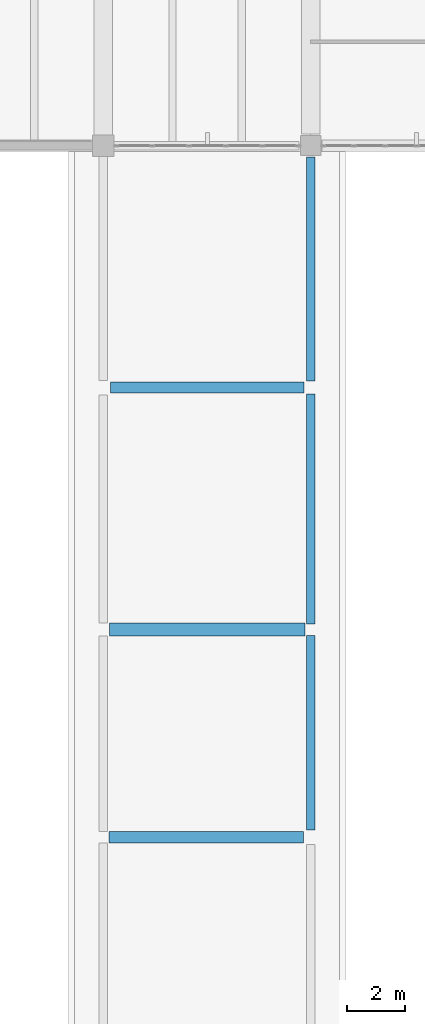
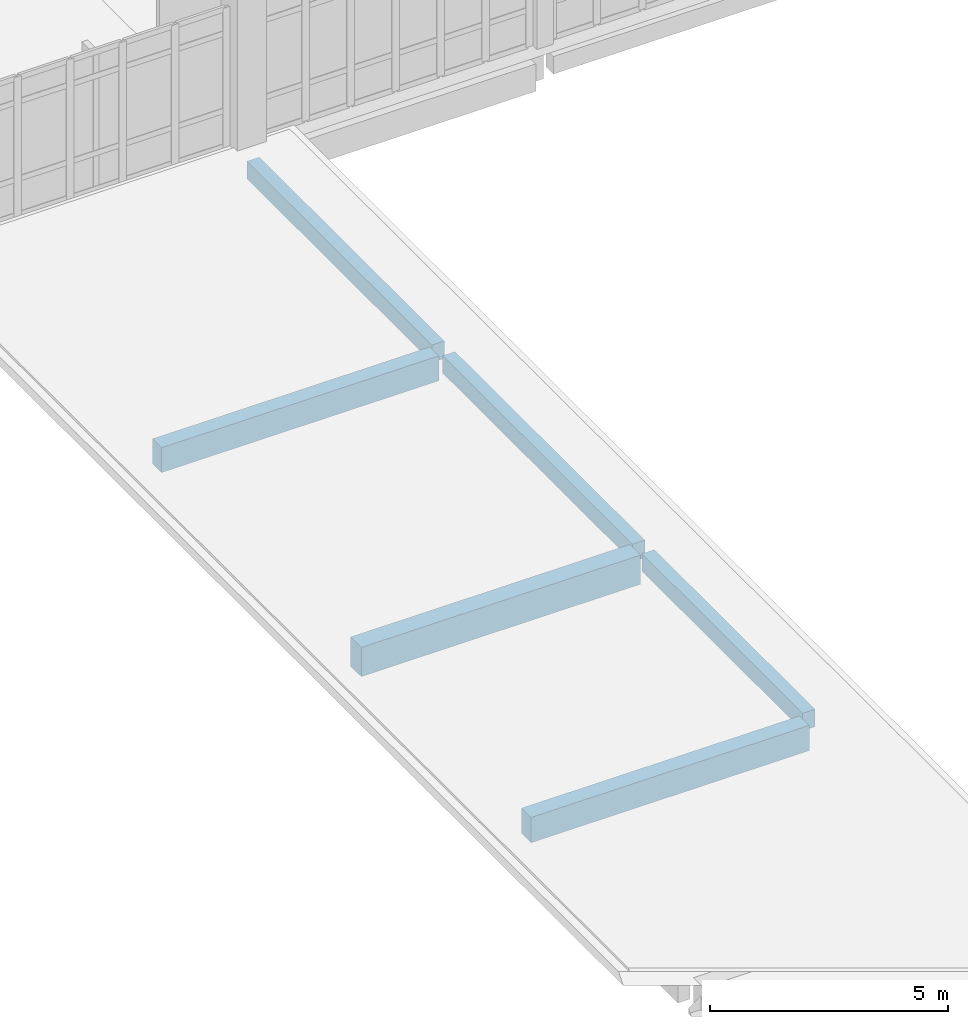
# One storey, part 68 of 134: 6 beams.
"""IFC4 building model written with IfcOpenShell, lengths in metres."""

import ifcopenshell
import ifcopenshell.guid

model = None  # the IFC model being written
_history = None  # IfcOwnerHistory: only IFC2X3 demands one
_inside = {}  # id of a spatial element -> (the spatial element, [elements in it])
_under = {}  # id of a project, library or spatial element -> (it, [spatial elements below it])
_declared = {}  # id of a project -> (the project, [libraries it declares])
_typed = {}  # id of a type object -> (the type object, [elements of that type])
_made_of = {}  # id of a material, layer set ... -> (it, [elements and type objects made of it])


def new_model(schema):
    """Start an empty IFC model of exactly this schema.

    Asked for "IFC4X3", IfcOpenShell would pick the latest addendum, in which some entities
    have other attributes; the version numbers below select the first issue.
    IFC2X3 requires an IfcOwnerHistory on every rooted entity: one is made here for all.
    """
    global model, _history
    if schema == "IFC4X3":
        model = ifcopenshell.file(schema_version=(4, 3, 0, 0))
    else:
        model = ifcopenshell.file(schema=schema)
    _inside.clear()
    _under.clear()
    _declared.clear()
    _typed.clear()
    _made_of.clear()
    _history = None
    if model.schema == "IFC2X3":
        org = make("IfcOrganization", Name="unknown")
        user = make(
            "IfcPersonAndOrganization",
            ThePerson=make("IfcPerson", FamilyName="unknown"),
            TheOrganization=org,
        )
        app = make(
            "IfcApplication",
            ApplicationDeveloper=org,
            Version="unknown",
            ApplicationFullName="unknown",
            ApplicationIdentifier="unknown",
        )
        _history = make(
            "IfcOwnerHistory",
            OwningUser=user,
            OwningApplication=app,
            ChangeAction="ADDED",
            CreationDate=0,
        )
    return model


def make(cls, **values):
    """One entity of the class cls with the attributes given. An attribute that is None is left unset."""
    return model.create_entity(
        cls, **{name: value for name, value in values.items() if value is not None}
    )


def rooted(cls, **values):
    """An entity with a GlobalId (a new one), such as an element, a storey or a relation."""
    return make(cls, GlobalId=ifcopenshell.guid.new(), OwnerHistory=_history, **values)


def si_unit(unit_type, name, prefix=None):
    """IfcSIUnit, for example si_unit("LENGTHUNIT", "METRE", prefix="MILLI")."""
    return make("IfcSIUnit", UnitType=unit_type, Prefix=prefix, Name=name)


def assignment(units):
    """IfcUnitAssignment: the units of a project."""
    return None if units is None else make("IfcUnitAssignment", Units=units)


def point(xyz):
    """IfcCartesianPoint."""
    return None if xyz is None else make("IfcCartesianPoint", Coordinates=xyz)


def direction(xyz):
    """IfcDirection."""
    return None if xyz is None else make("IfcDirection", DirectionRatios=xyz)


def frame(location, z_axis=None, x_axis=None):
    """IfcAxis2Placement3D, a coordinate frame: its origin and axes. An axis left out is left unset."""
    return make(
        "IfcAxis2Placement3D",
        Location=point(location),
        Axis=direction(z_axis),
        RefDirection=direction(x_axis),
    )


def frame_2d(location, x_axis=None):
    """IfcAxis2Placement2D, a coordinate frame in the plane: its origin and x axis."""
    return make(
        "IfcAxis2Placement2D", Location=point(location), RefDirection=direction(x_axis)
    )


def origin():
    """The frame at (0, 0, 0) with its axes left unset."""
    return frame((0.0, 0.0, 0.0))


def origin_2d():
    """The frame at (0, 0) in the plane with its x axis left unset."""
    return frame_2d((0.0, 0.0))


def place(relative_to, where):
    """IfcLocalPlacement: puts the frame where relative to a parent placement (None: the world)."""
    return make(
        "IfcLocalPlacement", PlacementRelTo=relative_to, RelativePlacement=where
    )


def context(
    kind, dimensions, precision=None, world=None, true_north=None, identifier=None
):
    """IfcGeometricRepresentationContext, for example the 3D "Model" context."""
    return make(
        "IfcGeometricRepresentationContext",
        ContextIdentifier=identifier,
        ContextType=kind,
        CoordinateSpaceDimension=dimensions,
        Precision=precision,
        WorldCoordinateSystem=world,
        TrueNorth=true_north,
    )


def subcontext(parent, identifier, kind, view, scale=None):
    """IfcGeometricRepresentationSubContext, for example "Body" below "Model"."""
    return make(
        "IfcGeometricRepresentationSubContext",
        ContextIdentifier=identifier,
        ContextType=kind,
        ParentContext=parent,
        TargetScale=scale,
        TargetView=view,
    )


def project(units=None, contexts=None):
    """IfcProject with its units and contexts."""
    return rooted(
        "IfcProject",
        Name="project",
        RepresentationContexts=contexts,
        UnitsInContext=assignment(units),
    )


def spatial(cls, under=None, at=None, **own):
    """A site, building, storey or space (cls), placed at a placement, below another one or the project."""
    s = rooted(cls, ObjectPlacement=at, **own)
    if under is not None:
        _under.setdefault(under.id(), (under, []))[1].append(s)
    return s


def profile(cls, at=None, kind="AREA", **sizes):
    """A parametric profile (cls). Its sizes go by their IFC names, for example OverallWidth=200.0."""
    return make(cls, ProfileType=kind, Position=at, **sizes)


def rectangle(**sizes):
    """IfcRectangleProfileDef."""
    return profile("IfcRectangleProfileDef", **sizes)


def extrude(swept, where, along, depth):
    """IfcExtrudedAreaSolid: the profile swept, set in the frame where, extruded along a direction by depth."""
    return make(
        "IfcExtrudedAreaSolid",
        SweptArea=swept,
        Position=where,
        ExtrudedDirection=direction(along),
        Depth=depth,
    )


def shape(context_of_items, identifier, shape_type, items):
    """IfcShapeRepresentation: the items that make up one representation, for example the "Body"."""
    return make(
        "IfcShapeRepresentation",
        ContextOfItems=context_of_items,
        RepresentationIdentifier=identifier,
        RepresentationType=shape_type,
        Items=items,
    )


def material(Name=None, Category=None):
    """IfcMaterial."""
    return make("IfcMaterial", Name=Name, Category=Category)


def material_profile(
    of_material, cross_section, Name=None, Category=None, Priority=None
):
    """IfcMaterialProfile: a cross section and its material."""
    return make(
        "IfcMaterialProfile",
        Name=Name,
        Material=of_material,
        Profile=cross_section,
        Priority=Priority,
        Category=Category,
    )


def profile_set(profiles, Name=None, composite=None):
    """IfcMaterialProfileSet."""
    return make(
        "IfcMaterialProfileSet",
        Name=Name,
        MaterialProfiles=profiles,
        CompositeProfile=composite,
    )


def made_of(thing, what):
    """Note that an element or type object is made of a material, layer set ...; save() writes the relation."""
    if what is not None:
        _made_of.setdefault(what.id(), (what, []))[1].append(thing)
    return thing


def type_object(cls, material=None, **own):
    """A type object (cls), such as IfcWallType, which elements share."""
    return made_of(rooted(cls, **own), material)


def element(
    cls,
    number,
    at=None,
    inside=None,
    cuts=None,
    type_object=None,
    material=None,
    context=None,
    identifier="Body",
    shape_type=None,
    held_by="IfcProductDefinitionShape",
    body=None,
    shapes=None,
    **own,
):
    """One element of the class cls, such as IfcWall. Its Tag is "e" and its number.

    at: its placement. inside: the storey or other place that contains it. cuts: it is an
    opening in that element (IfcRelVoidsElement). A single representation is given by context,
    identifier, shape_type and body (its items); several are given by shapes. held_by: the class
    of the entity that holds the representations. save() writes the other relations.
    """
    e = rooted(cls, Tag="e%d" % number, ObjectPlacement=at, **own)
    if body is not None:
        shapes = [shape(context, identifier, shape_type, body)]
    if shapes is not None:
        e.Representation = make(held_by, Representations=shapes)
    if inside is not None:
        _inside.setdefault(inside.id(), (inside, []))[1].append(e)
    if cuts is not None:
        rooted(
            "IfcRelVoidsElement", RelatingBuildingElement=cuts, RelatedOpeningElement=e
        )
    if type_object is not None:
        _typed.setdefault(type_object.id(), (type_object, []))[1].append(e)
    return made_of(e, material)


def aggregate(whole, parts):
    """IfcRelAggregates: a whole, such as a stair, and the parts it consists of."""
    return rooted("IfcRelAggregates", RelatingObject=whole, RelatedObjects=parts)


def save(model, path):
    """Write the relations noted so far, then the file.

    IfcRelAggregates (storeys below a building ...), IfcRelContainedInSpatialStructure (elements
    in a storey), IfcRelDefinesByType, IfcRelAssociatesMaterial and IfcRelDeclares: one each for
    every whole, place, type object, material and project.
    """
    for whole, parts in _under.values():
        aggregate(whole, parts)
    for where, things in _inside.values():
        rooted(
            "IfcRelContainedInSpatialStructure",
            RelatedElements=things,
            RelatingStructure=where,
        )
    for kind, things in _typed.values():
        rooted("IfcRelDefinesByType", RelatedObjects=things, RelatingType=kind)
    for what, things in _made_of.values():
        rooted("IfcRelAssociatesMaterial", RelatedObjects=things, RelatingMaterial=what)
    for by, libraries in _declared.values():
        rooted("IfcRelDeclares", RelatingContext=by, RelatedDefinitions=libraries)
    model.write(path)


model = new_model("IFC4")

# Units and contexts
model_context = context("Model", 3, precision=1e-05, world=origin(), true_north=direction((0.0, 1.0)))
body_context = subcontext(model_context, "Body", "Model", "MODEL_VIEW")
ifc_project = project(units=[si_unit("LENGTHUNIT", "METRE"), si_unit("AREAUNIT", "SQUARE_METRE"), si_unit("VOLUMEUNIT", "CUBIC_METRE"), si_unit("PLANEANGLEUNIT", "RADIAN"), si_unit("MASSUNIT", "GRAM", prefix="KILO")], contexts=[model_context])

# Site, building, storey
site_placement = place(None, origin())
site = spatial("IfcSite", under=ifc_project, at=site_placement, CompositionType="ELEMENT")
building_placement = place(site_placement, origin())
building = spatial("IfcBuilding", under=site, at=building_placement, Name="Kalluvel Institute of Natural Sciences", CompositionType="ELEMENT")
storey_placement = place(building_placement, frame((0.0, 0.0, 5.39990234375)))
storey = spatial("IfcBuildingStorey", under=building, at=storey_placement, Name="L01", CompositionType="ELEMENT", Elevation=5.39990234375)

# Beams
ifc_material = material(Name="Concrete M40", Category="concrete")
ifc_material_profile_1 = material_profile(ifc_material, rectangle(XDim=0.3798828125, YDim=0.639892578125, at=origin_2d()), Name="RCB 380x640")
ifc_profile_set_1 = profile_set([ifc_material_profile_1], Name="Concrete M40")
beam_type_1 = type_object("IfcBeamType", Name="BM-RC380x640", PredefinedType="BEAM", material=ifc_profile_set_1)
beam_1_placement = place(storey_placement, frame((107.85009765625, 94.39990234375, -0.559814453125), z_axis=(1.0, 0.0, 0.0), x_axis=(0.0, 1.0, 0.0)))
element("IfcBeam", 1, at=beam_1_placement, inside=storey, type_object=beam_type_1, Name="L01 girder GIR-L01-EW-X1076-Y944", PredefinedType="BEAM", context=body_context, shape_type="SweptSolid", body=[
    extrude(rectangle(XDim=0.3798828125, YDim=0.639892578125, at=origin_2d()), origin(), (0.0, 0.0, 1.0), 6.724853515625),
])
ifc_material_profile_2 = material_profile(ifc_material, rectangle(XDim=0.39990234375, YDim=0.64990234375, at=origin_2d()), Name="RCB 400x650")
ifc_profile_set_2 = profile_set([ifc_material_profile_2], Name="Concrete M40")
beam_type_2 = type_object("IfcBeamType", Name="BM-RC400x650", PredefinedType="BEAM", material=ifc_profile_set_2)
beam_2_placement = place(storey_placement, frame((107.800048828125, 78.800048828125, -0.56494140625), z_axis=(1.0, 0.0, 0.0), x_axis=(0.0, 1.0, 0.0)))
element("IfcBeam", 2, at=beam_2_placement, inside=storey, type_object=beam_type_2, Name="L01 girder GIR-L01-EW-X1076-Y788", PredefinedType="BEAM", context=body_context, shape_type="SweptSolid", body=[
    extrude(rectangle(XDim=0.39990234375, YDim=0.64990234375, at=origin_2d()), origin(), (0.0, 0.0, 1.0), 6.75),
])
ifc_material_profile_3 = material_profile(ifc_material, rectangle(XDim=0.449951171875, YDim=0.75, at=origin_2d()), Name="RCB 450x750")
ifc_profile_set_3 = profile_set([ifc_material_profile_3], Name="Concrete M40")
beam_type_3 = type_object("IfcBeamType", Name="BM-RC450x750", PredefinedType="BEAM", material=ifc_profile_set_3)
beam_3_placement = place(storey_placement, frame((107.824951171875, 86.0, -0.614990234375), z_axis=(1.0, 0.0, 0.0), x_axis=(0.0, 1.0, 0.0)))
element("IfcBeam", 3, at=beam_3_placement, inside=storey, type_object=beam_type_3, Name="L01 girder GIR-L01-EW-X1076-Y860", PredefinedType="BEAM", context=body_context, shape_type="SweptSolid", body=[
    extrude(rectangle(XDim=0.449951171875, YDim=0.75, at=origin_2d()), origin(), (0.0, 0.0, 1.0), 6.775146484375),
])
ifc_material_profile_4 = material_profile(ifc_material, rectangle(XDim=0.300048828125, YDim=0.449951171875, at=origin_2d()), Name="RCB 300x450")
ifc_profile_set_4 = profile_set([ifc_material_profile_4], Name="Concrete M40")
beam_type_4 = type_object("IfcBeamType", Name="SP-RC300x450", PredefinedType="SPANDREL", material=ifc_profile_set_4)
beam_4_placement = place(storey_placement, frame((114.800048828125, 79.050048828125, -0.46484375), z_axis=(0.0, 1.0, 0.0), x_axis=(-1.0, 0.0, 0.0)))
element("IfcBeam", 4, at=beam_4_placement, inside=storey, type_object=beam_type_4, Name="L01 girder GIR-L01-NS-X1148-Y788", PredefinedType="SPANDREL", context=body_context, shape_type="SweptSolid", body=[
    extrude(rectangle(XDim=0.300048828125, YDim=0.449951171875, at=origin_2d()), origin(), (0.0, 0.0, 1.0), 6.75),
])
beam_5_placement = place(storey_placement, frame((114.800048828125, 86.199951171875, -0.46484375), z_axis=(0.0, 1.0, 0.0), x_axis=(-1.0, 0.0, 0.0)))
element("IfcBeam", 5, at=beam_5_placement, inside=storey, type_object=beam_type_4, Name="L01 girder GIR-L01-NS-X1148-Y860", PredefinedType="SPANDREL", context=body_context, shape_type="SweptSolid", body=[
    extrude(rectangle(XDim=0.300048828125, YDim=0.449951171875, at=origin_2d()), origin(), (0.0, 0.0, 1.0), 7.97509765625),
])
beam_6_placement = place(storey_placement, frame((114.800048828125, 94.625, -0.46484375), z_axis=(0.0, 1.0, 0.0), x_axis=(-1.0, 0.0, 0.0)))
element("IfcBeam", 6, at=beam_6_placement, inside=storey, type_object=beam_type_4, Name="L01 girder GIR-L01-NS-X1148-Y944", PredefinedType="SPANDREL", context=body_context, shape_type="SweptSolid", body=[
    extrude(rectangle(XDim=0.300048828125, YDim=0.449951171875, at=origin_2d()), origin(), (0.0, 0.0, 1.0), 7.77490234375),
])

save(model, "model.ifc")
